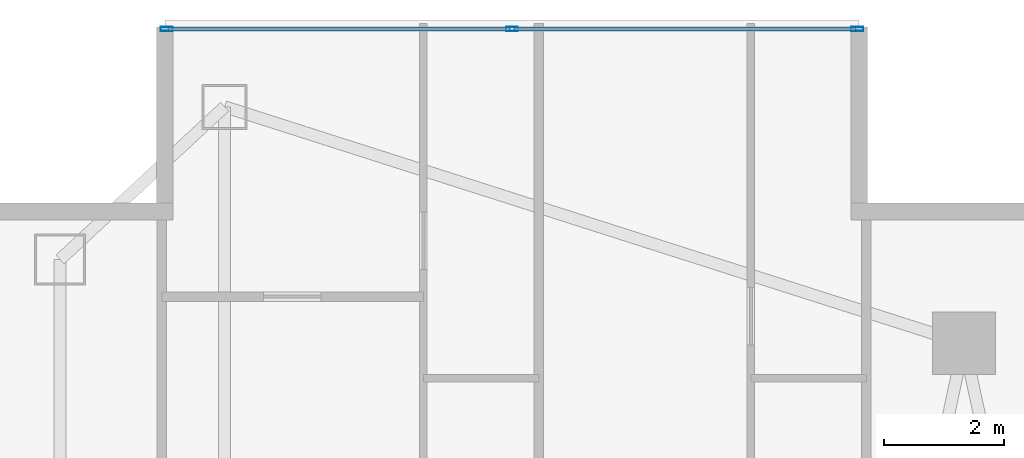
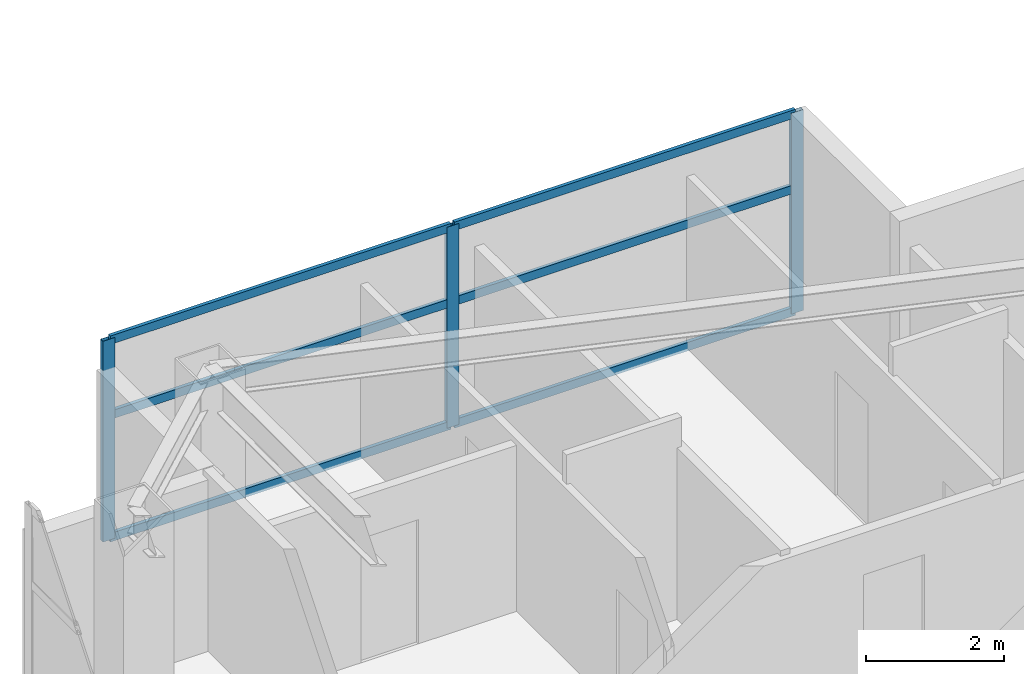
# One storey, part 19 of 29: 9 members, 1 element without a shape of its own.
"""IFC4 building model written with IfcOpenShell, lengths in metres."""

from ifc_helpers import new_model, si_unit, direction, frame, origin, origin_2d, place, context, subcontext, project, spatial, hollow_rectangle, extrude, material, layer, layer_set, material_profile, profile_set, type_object, element, aggregate, save


model = new_model("IFC4")

# Units and contexts
model_context = context("Model", 3, precision=1e-05, world=origin(), true_north=direction((0.0, 1.0)))
body_context = subcontext(model_context, "Body", "Model", "MODEL_VIEW")
ifc_project = project(units=[si_unit("LENGTHUNIT", "METRE"), si_unit("AREAUNIT", "SQUARE_METRE"), si_unit("VOLUMEUNIT", "CUBIC_METRE"), si_unit("PLANEANGLEUNIT", "RADIAN"), si_unit("MASSUNIT", "GRAM", prefix="KILO")], contexts=[model_context])

# Site, building, storey
site_placement = place(None, origin())
site = spatial("IfcSite", under=ifc_project, at=site_placement, CompositionType="ELEMENT")
building_placement = place(site_placement, origin())
building = spatial("IfcBuilding", under=site, at=building_placement, Name="Calvorn Quay Hotel", CompositionType="ELEMENT")
storey_placement = place(building_placement, frame((0.0, 0.0, 175.10009765625)))
storey = spatial("IfcBuildingStorey", under=building, at=storey_placement, Name="L43", CompositionType="ELEMENT", Elevation=175.10009765625)

# Curtain wall, members
ifc_material_1 = material(Name="Pale Anodised Aluminium and Low-E Glass", Category="aluminium")
ifc_layer = layer(ifc_material_1, 0.219970703125)
ifc_layer_set = layer_set([ifc_layer], Name="CW-SYS-Z2")
curtain_wall_type = type_object("IfcCurtainWallType", Name="CW-SYS-Z2", PredefinedType="NOTDEFINED", material=ifc_layer_set)
curtain_wall_placement = place(storey_placement, origin())
curtain_wall = element("IfcCurtainWall", 1, at=curtain_wall_placement, inside=storey, type_object=curtain_wall_type, Name="Inner Court Curtain Wall L43-N1", PredefinedType="NOTDEFINED")
ifc_material_2 = material(Name="Pale Anodised Aluminium 6063-T6", Category="aluminium")
ifc_material_profile_1 = material_profile(ifc_material_2, hollow_rectangle(XDim=0.070068359375, YDim=0.199951171875, WallThickness=0.00390625, at=origin_2d()), Name="ALU-M200x70x4")
ifc_profile_set_1 = profile_set([ifc_material_profile_1], Name="Pale Anodised Aluminium 6063-T6")
member_type_1 = type_object("IfcMemberType", Name="CW-SYS-Z2-MUL", PredefinedType="MULLION", material=ifc_profile_set_1)
member_1_placement = place(storey_placement, frame((14.77001953125, 50.85009765625, 0.0), z_axis=(0.0, 0.0, 1.0), x_axis=(0.0, -1.0, 0.0)))
member_1 = element("IfcMember", 2, at=member_1_placement, type_object=member_type_1, Name="CW-L43-N1 mullion 1", PredefinedType="MULLION", context=body_context, shape_type="SweptSolid", body=[
    extrude(hollow_rectangle(XDim=0.070068359375, YDim=0.199951171875, WallThickness=0.00390625, at=origin_2d()), origin(), (0.0, 0.0, 1.0), 3.559814453125),
])
member_2_placement = place(storey_placement, frame((9.0, 50.85009765625, 0.0), z_axis=(0.0, 0.0, 1.0), x_axis=(0.0, -1.0, 0.0)))
member_2 = element("IfcMember", 3, at=member_2_placement, type_object=member_type_1, Name="CW-L43-N1 mullion 2", PredefinedType="MULLION", context=body_context, shape_type="SweptSolid", body=[
    extrude(hollow_rectangle(XDim=0.070068359375, YDim=0.199951171875, WallThickness=0.00390625, at=origin_2d()), origin(), (0.0, 0.0, 1.0), 3.559814453125),
])
member_3_placement = place(storey_placement, frame((3.22998046875, 50.85009765625, 0.0), z_axis=(0.0, 0.0, 1.0), x_axis=(0.0, -1.0, 0.0)))
member_3 = element("IfcMember", 4, at=member_3_placement, type_object=member_type_1, Name="CW-L43-N1 mullion 3", PredefinedType="MULLION", context=body_context, shape_type="SweptSolid", body=[
    extrude(hollow_rectangle(XDim=0.070068359375, YDim=0.199951171875, WallThickness=0.00390625, at=origin_2d()), origin(), (0.0, 0.0, 1.0), 3.559814453125),
])
ifc_material_3 = material(Name="Pale Anodised Aluminium 6063-T6", Category="aluminium")
ifc_material_profile_2 = material_profile(ifc_material_3, hollow_rectangle(XDim=0.06005859375, YDim=0.14990234375, WallThickness=0.00341796875, at=origin_2d()), Name="ALU-T150x60x3.5")
ifc_profile_set_2 = profile_set([ifc_material_profile_2], Name="Pale Anodised Aluminium 6063-T6")
member_type_2 = type_object("IfcMemberType", Name="CW-SYS-Z2-TRN", PredefinedType="USERDEFINED", material=ifc_profile_set_2)
member_4_placement = place(storey_placement, frame((14.739990234375, 50.85009765625, 0.02978515625), z_axis=(-1.0, 0.0, 0.0), x_axis=(0.0, -1.0, 0.0)))
member_4 = element("IfcMember", 5, at=member_4_placement, type_object=member_type_2, Name="CW-L43-N1 transom 1.1", ObjectType="TRANSOM", PredefinedType="USERDEFINED", context=body_context, shape_type="SweptSolid", body=[
    extrude(hollow_rectangle(XDim=0.06005859375, YDim=0.14990234375, WallThickness=0.00341796875, at=origin_2d()), origin(), (0.0, 0.0, 1.0), 5.7099609375),
])
member_5_placement = place(storey_placement, frame((14.739990234375, 50.85009765625, 2.199951171875), z_axis=(-1.0, 0.0, 0.0), x_axis=(0.0, -1.0, 0.0)))
member_5 = element("IfcMember", 6, at=member_5_placement, type_object=member_type_2, Name="CW-L43-N1 transom 1.2", ObjectType="TRANSOM", PredefinedType="USERDEFINED", context=body_context, shape_type="SweptSolid", body=[
    extrude(hollow_rectangle(XDim=0.06005859375, YDim=0.14990234375, WallThickness=0.00341796875, at=origin_2d()), origin(), (0.0, 0.0, 1.0), 5.7099609375),
])
member_6_placement = place(storey_placement, frame((14.739990234375, 50.85009765625, 3.52978515625), z_axis=(-1.0, 0.0, 0.0), x_axis=(0.0, -1.0, 0.0)))
member_6 = element("IfcMember", 7, at=member_6_placement, type_object=member_type_2, Name="CW-L43-N1 transom 1.3", ObjectType="TRANSOM", PredefinedType="USERDEFINED", context=body_context, shape_type="SweptSolid", body=[
    extrude(hollow_rectangle(XDim=0.06005859375, YDim=0.14990234375, WallThickness=0.00341796875, at=origin_2d()), origin(), (0.0, 0.0, 1.0), 5.7099609375),
])
member_7_placement = place(storey_placement, frame((8.969970703125, 50.85009765625, 0.02978515625), z_axis=(-1.0, 0.0, 0.0), x_axis=(0.0, -1.0, 0.0)))
member_7 = element("IfcMember", 8, at=member_7_placement, type_object=member_type_2, Name="CW-L43-N1 transom 2.1", ObjectType="TRANSOM", PredefinedType="USERDEFINED", context=body_context, shape_type="SweptSolid", body=[
    extrude(hollow_rectangle(XDim=0.06005859375, YDim=0.14990234375, WallThickness=0.00341796875, at=origin_2d()), origin(), (0.0, 0.0, 1.0), 5.7099609375),
])
member_8_placement = place(storey_placement, frame((8.969970703125, 50.85009765625, 2.199951171875), z_axis=(-1.0, 0.0, 0.0), x_axis=(0.0, -1.0, 0.0)))
member_8 = element("IfcMember", 9, at=member_8_placement, type_object=member_type_2, Name="CW-L43-N1 transom 2.2", ObjectType="TRANSOM", PredefinedType="USERDEFINED", context=body_context, shape_type="SweptSolid", body=[
    extrude(hollow_rectangle(XDim=0.06005859375, YDim=0.14990234375, WallThickness=0.00341796875, at=origin_2d()), origin(), (0.0, 0.0, 1.0), 5.7099609375),
])
member_9_placement = place(storey_placement, frame((8.969970703125, 50.85009765625, 3.52978515625), z_axis=(-1.0, 0.0, 0.0), x_axis=(0.0, -1.0, 0.0)))
member_9 = element("IfcMember", 10, at=member_9_placement, type_object=member_type_2, Name="CW-L43-N1 transom 2.3", ObjectType="TRANSOM", PredefinedType="USERDEFINED", context=body_context, shape_type="SweptSolid", body=[
    extrude(hollow_rectangle(XDim=0.06005859375, YDim=0.14990234375, WallThickness=0.00341796875, at=origin_2d()), origin(), (0.0, 0.0, 1.0), 5.7099609375),
])
aggregate(curtain_wall, [member_1, member_2, member_3, member_4, member_5, member_6, member_7, member_8, member_9])

save(model, "model.ifc")
